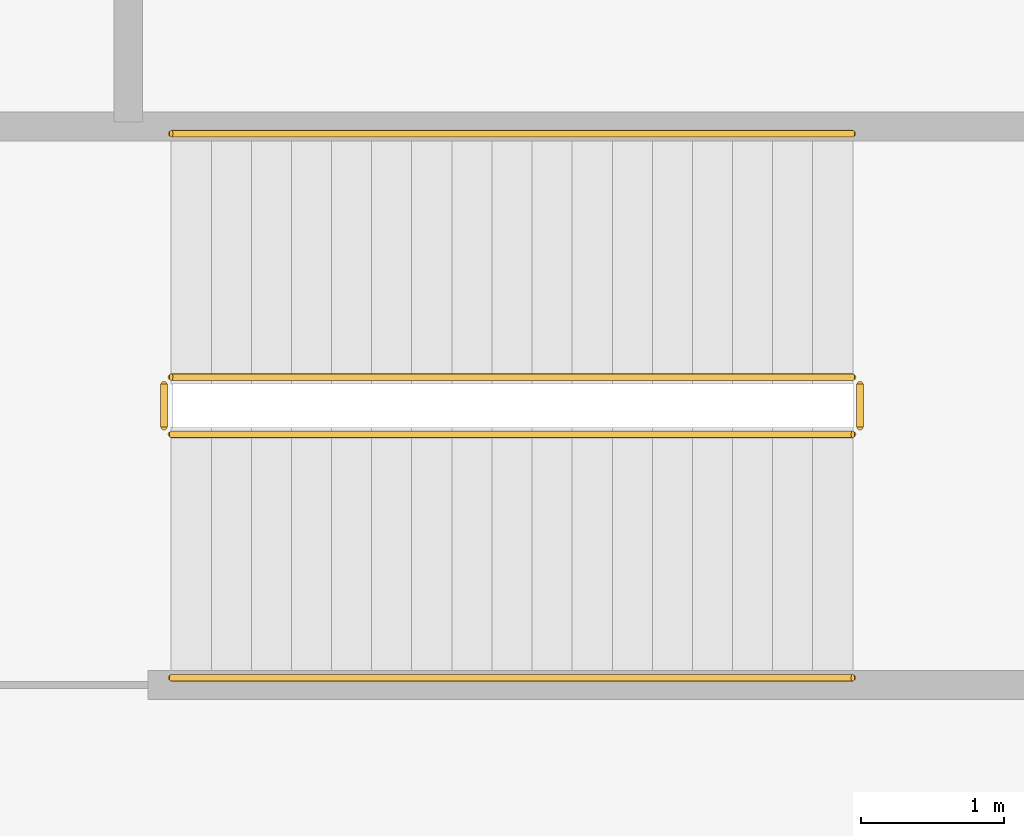
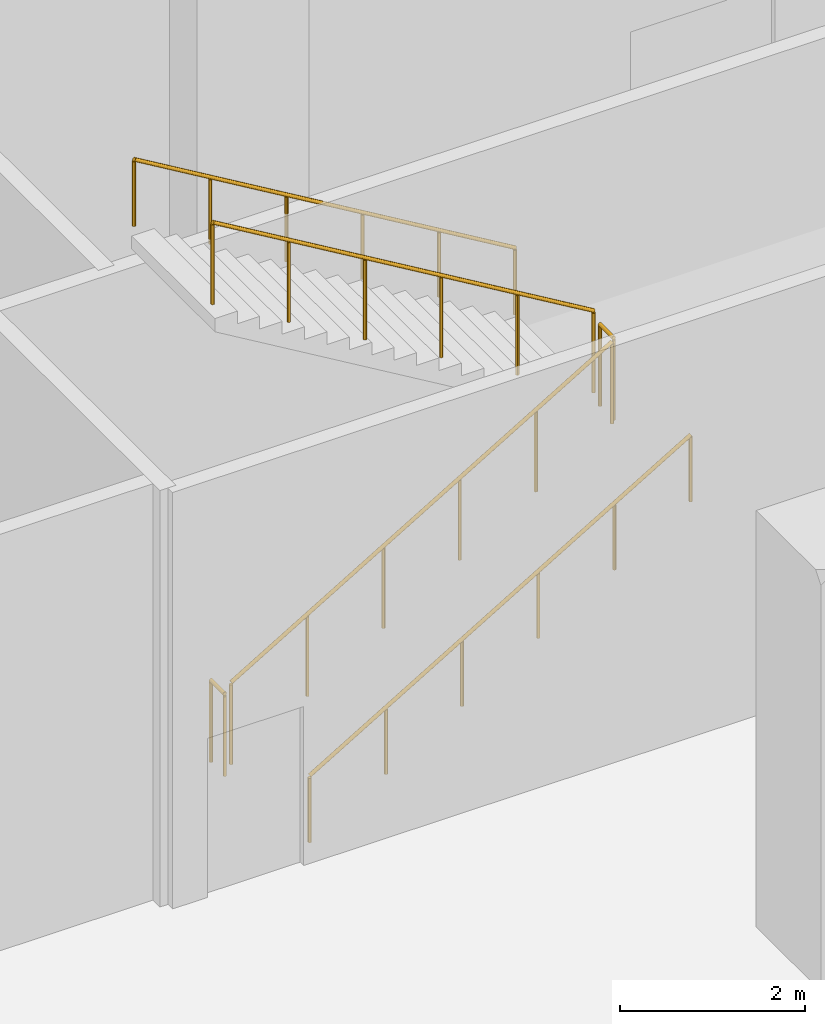
# One storey, part 41 of 52: 6 railings.
"""IFC4 building model written with IfcOpenShell, lengths in metres."""

from ifc_helpers import new_model, si_unit, direction, frame, origin, origin_2d, place, context, subcontext, project, spatial, circle, extrude, material, type_object, element, save


model = new_model("IFC4")

# Units and contexts
model_context = context("Model", 3, precision=1e-05, world=origin(), true_north=direction((0.0, 1.0)))
body_context = subcontext(model_context, "Body", "Model", "MODEL_VIEW")
ifc_project = project(units=[si_unit("LENGTHUNIT", "METRE"), si_unit("AREAUNIT", "SQUARE_METRE"), si_unit("VOLUMEUNIT", "CUBIC_METRE"), si_unit("PLANEANGLEUNIT", "RADIAN"), si_unit("MASSUNIT", "GRAM", prefix="KILO")], contexts=[model_context])

# Site, building, storey
site_placement = place(None, origin())
site = spatial("IfcSite", under=ifc_project, at=site_placement, CompositionType="ELEMENT")
building_placement = place(site_placement, origin())
building = spatial("IfcBuilding", under=site, at=building_placement, Name="Tamarind Cross Interchange Tower", CompositionType="ELEMENT")
storey_placement = place(building_placement, frame((0.0, 0.0, 9.0)))
storey = spatial("IfcBuildingStorey", under=building, at=storey_placement, Name="L01", CompositionType="ELEMENT", Elevation=9.0)

# Railings
ifc_material_1 = material(Name="Public stair guard")
railing_type_1 = type_object("IfcRailingType", Name="Public stair guard", PredefinedType="GUARDRAIL", material=ifc_material_1)
railing_1_placement = place(storey_placement, frame((-58.199951171875, -21.0, 0.166748046875)))
element("IfcRailing", 1, at=railing_1_placement, inside=storey, type_object=railing_type_1, Name="L01 XS-P08 stair guard 1", PredefinedType="GUARDRAIL", context=body_context, shape_type="SweptSolid", body=[
    extrude(circle(Radius=0.02392578125, at=origin_2d()), frame((0.0, 0.0, 1.076171875), z_axis=(0.859299802514, 0.0, 0.511472237174), x_axis=(0.0, 1.0, 0.0)), (0.0, 0.0, 1.0), 5.539306640625),
    extrude(circle(Radius=0.02099609375, at=origin_2d()), origin(), (0.0, 0.0, 1.0), 1.052001953125),
    extrude(circle(Radius=0.02099609375, at=origin_2d()), frame((0.951904296875, 0.0, 0.566650390625)), (0.0, 0.0, 1.0), 1.052001953125),
    extrude(circle(Radius=0.02099609375, at=origin_2d()), frame((1.904052734375, 0.0, 1.13330078125)), (0.0, 0.0, 1.0), 1.052001953125),
    extrude(circle(Radius=0.02099609375, at=origin_2d()), frame((2.85595703125, 0.0, 1.699951171875)), (0.0, 0.0, 1.0), 1.052001953125),
    extrude(circle(Radius=0.02099609375, at=origin_2d()), frame((3.80810546875, 0.0, 2.2666015625)), (0.0, 0.0, 1.0), 1.052001953125),
    extrude(circle(Radius=0.02099609375, at=origin_2d()), frame((4.760009765625, 0.0, 2.833251953125)), (0.0, 0.0, 1.0), 1.052001953125),
])
railing_2_placement = place(storey_placement, frame((-53.389892578125, -20.949951171875, 3.0)))
element("IfcRailing", 2, at=railing_2_placement, inside=storey, type_object=railing_type_1, Name="L01 XS-P08 stair guard 2", PredefinedType="GUARDRAIL", context=body_context, shape_type="SweptSolid", body=[
    extrude(circle(Radius=0.02392578125, at=origin_2d()), frame((0.0, 0.0, 1.076171875), z_axis=(0.0, 1.0, 0.0), x_axis=(-1.0, 0.0, 0.0)), (0.0, 0.0, 1.0), 0.300048828125),
    extrude(circle(Radius=0.02099609375, at=origin_2d()), origin(), (0.0, 0.0, 1.0), 1.052001953125),
    extrude(circle(Radius=0.02099609375, at=origin_2d()), frame((0.0, 0.300048828125, 0.0)), (0.0, 0.0, 1.0), 1.052001953125),
])
railing_3_placement = place(storey_placement, frame((-53.43994140625, -20.60009765625, 3.166748046875)))
element("IfcRailing", 3, at=railing_3_placement, inside=storey, type_object=railing_type_1, Name="L01 XS-P08 stair guard 3", PredefinedType="GUARDRAIL", context=body_context, shape_type="SweptSolid", body=[
    extrude(circle(Radius=0.02392578125, at=origin_2d()), frame((0.0, 0.0, 1.076171875), z_axis=(-0.859299802514, 0.0, 0.511472237174), x_axis=(0.0, -1.0, 0.0)), (0.0, 0.0, 1.0), 5.539306640625),
    extrude(circle(Radius=0.02099609375, at=origin_2d()), origin(), (0.0, 0.0, 1.0), 1.052001953125),
    extrude(circle(Radius=0.02099609375, at=origin_2d()), frame((-0.951904296875, 0.0, 0.566650390625)), (0.0, 0.0, 1.0), 1.052001953125),
    extrude(circle(Radius=0.02099609375, at=origin_2d()), frame((-1.904052734375, 0.0, 1.13330078125)), (0.0, 0.0, 1.0), 1.052001953125),
    extrude(circle(Radius=0.02099609375, at=origin_2d()), frame((-2.85595703125, 0.0, 1.699951171875)), (0.0, 0.0, 1.0), 1.052001953125),
    extrude(circle(Radius=0.02099609375, at=origin_2d()), frame((-3.80810546875, 0.0, 2.2666015625)), (0.0, 0.0, 1.0), 1.052001953125),
    extrude(circle(Radius=0.02099609375, at=origin_2d()), frame((-4.760009765625, 0.0, 2.833251953125)), (0.0, 0.0, 1.0), 1.052001953125),
])
railing_4_placement = place(storey_placement, frame((-58.25, -20.949951171875, 0.0)))
element("IfcRailing", 4, at=railing_4_placement, inside=storey, type_object=railing_type_1, Name="L01 XS-P08 stair guard 4", PredefinedType="GUARDRAIL", context=body_context, shape_type="SweptSolid", body=[
    extrude(circle(Radius=0.02392578125, at=origin_2d()), frame((0.0, 0.0, 1.076171875), z_axis=(0.0, 1.0, 0.0), x_axis=(-1.0, 0.0, 0.0)), (0.0, 0.0, 1.0), 0.300048828125),
    extrude(circle(Radius=0.02099609375, at=origin_2d()), origin(), (0.0, 0.0, 1.0), 1.052001953125),
    extrude(circle(Radius=0.02099609375, at=origin_2d()), frame((0.0, 0.300048828125, 0.0)), (0.0, 0.0, 1.0), 1.052001953125),
])
ifc_material_2 = material(Name="Public stair handrail")
railing_type_2 = type_object("IfcRailingType", Name="Public stair handrail", PredefinedType="HANDRAIL", material=ifc_material_2)
railing_5_placement = place(storey_placement, frame((-58.199951171875, -22.699951171875, 0.166748046875)))
element("IfcRailing", 5, at=railing_5_placement, inside=storey, type_object=railing_type_2, Name="L01 XS-P08 stair handrail 1", PredefinedType="HANDRAIL", context=body_context, shape_type="SweptSolid", body=[
    extrude(circle(Radius=0.02392578125, at=origin_2d()), frame((0.0, 0.0, 0.8759765625), z_axis=(0.859299802514, 0.0, 0.511472237174), x_axis=(0.0, 1.0, 0.0)), (0.0, 0.0, 1.0), 5.539306640625),
    extrude(circle(Radius=0.02099609375, at=origin_2d()), origin(), (0.0, 0.0, 1.0), 0.851806640625),
    extrude(circle(Radius=0.02099609375, at=origin_2d()), frame((0.951904296875, 0.0, 0.566650390625)), (0.0, 0.0, 1.0), 0.851806640625),
    extrude(circle(Radius=0.02099609375, at=origin_2d()), frame((1.904052734375, 0.0, 1.13330078125)), (0.0, 0.0, 1.0), 0.851806640625),
    extrude(circle(Radius=0.02099609375, at=origin_2d()), frame((2.85595703125, 0.0, 1.699951171875)), (0.0, 0.0, 1.0), 0.851806640625),
    extrude(circle(Radius=0.02099609375, at=origin_2d()), frame((3.80810546875, 0.0, 2.2666015625)), (0.0, 0.0, 1.0), 0.851806640625),
    extrude(circle(Radius=0.02099609375, at=origin_2d()), frame((4.760009765625, 0.0, 2.833251953125)), (0.0, 0.0, 1.0), 0.851806640625),
])
railing_6_placement = place(storey_placement, frame((-53.43994140625, -18.89990234375, 3.166748046875)))
element("IfcRailing", 6, at=railing_6_placement, inside=storey, type_object=railing_type_2, Name="L01 XS-P08 stair handrail 2", PredefinedType="HANDRAIL", context=body_context, shape_type="SweptSolid", body=[
    extrude(circle(Radius=0.02392578125, at=origin_2d()), frame((0.0, 0.0, 0.8759765625), z_axis=(-0.859299802514, 0.0, 0.511472237174), x_axis=(0.0, -1.0, 0.0)), (0.0, 0.0, 1.0), 5.539306640625),
    extrude(circle(Radius=0.02099609375, at=origin_2d()), origin(), (0.0, 0.0, 1.0), 0.851806640625),
    extrude(circle(Radius=0.02099609375, at=origin_2d()), frame((-0.951904296875, 0.0, 0.566650390625)), (0.0, 0.0, 1.0), 0.851806640625),
    extrude(circle(Radius=0.02099609375, at=origin_2d()), frame((-1.904052734375, 0.0, 1.13330078125)), (0.0, 0.0, 1.0), 0.851806640625),
    extrude(circle(Radius=0.02099609375, at=origin_2d()), frame((-2.85595703125, 0.0, 1.699951171875)), (0.0, 0.0, 1.0), 0.851806640625),
    extrude(circle(Radius=0.02099609375, at=origin_2d()), frame((-3.80810546875, 0.0, 2.2666015625)), (0.0, 0.0, 1.0), 0.851806640625),
    extrude(circle(Radius=0.02099609375, at=origin_2d()), frame((-4.760009765625, 0.0, 2.833251953125)), (0.0, 0.0, 1.0), 0.851806640625),
])

save(model, "model.ifc")
